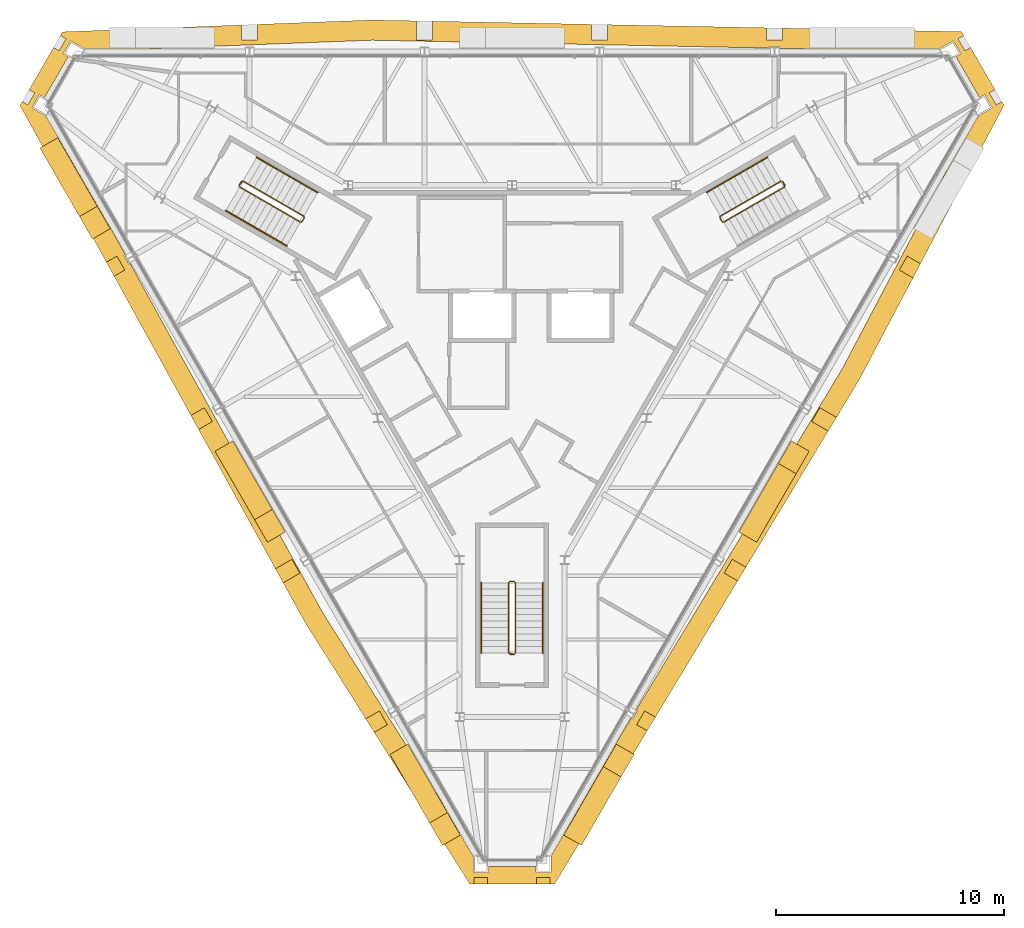
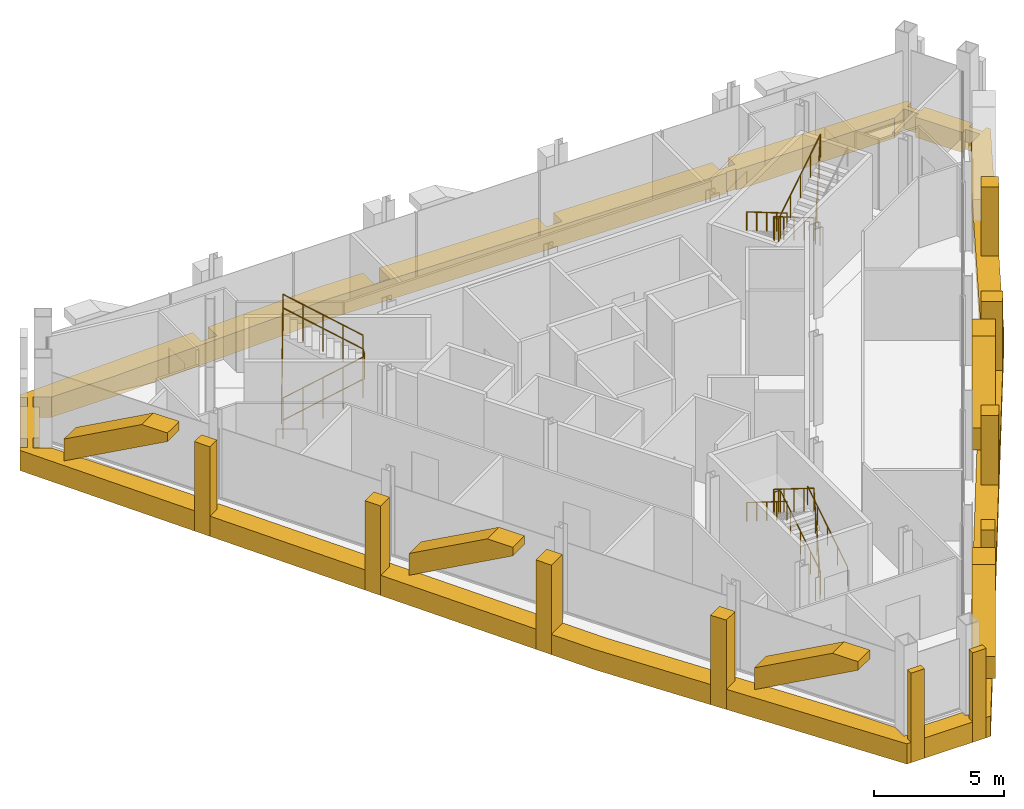
# One storey, part 12 of 13: 16 coverings, 8 railings.
"""IFC4 building model written with IfcOpenShell, lengths in metres."""

from ifc_helpers import new_model, si_unit, direction, frame, origin, origin_2d, place, context, subcontext, project, spatial, polyline, circle, outline, extrude, material, layer, layer_set, type_object, element, save


model = new_model("IFC4")

# Units and contexts
model_context = context("Model", 3, precision=1e-05, world=origin(), true_north=direction((0.0, 1.0)))
body_context = subcontext(model_context, "Body", "Model", "MODEL_VIEW")
ifc_project = project(units=[si_unit("LENGTHUNIT", "METRE"), si_unit("AREAUNIT", "SQUARE_METRE"), si_unit("VOLUMEUNIT", "CUBIC_METRE"), si_unit("PLANEANGLEUNIT", "RADIAN"), si_unit("MASSUNIT", "GRAM", prefix="KILO")], contexts=[model_context])

# Site, building, storey
site_placement = place(None, origin())
site = spatial("IfcSite", under=ifc_project, at=site_placement, CompositionType="ELEMENT")
building_placement = place(site_placement, origin())
building = spatial("IfcBuilding", under=site, at=building_placement, Name="Verrane Prism Tower", CompositionType="ELEMENT")
storey_placement = place(building_placement, frame((0.0, 0.0, 325.199951171875)))
storey = spatial("IfcBuildingStorey", under=building, at=storey_placement, Name="L82", CompositionType="ELEMENT", Elevation=325.199951171875)

# Railings
ifc_material_1 = material(Name="Steel A36 rail and posts, no infill", Category="steel")
railing_type_1 = type_object("IfcRailingType", Name="Stair guard 1100 steel rail and posts", PredefinedType="GUARDRAIL", material=ifc_material_1)
railing_1_placement = place(storey_placement, frame((11.78955078125, 6.97998046875, 0.175048828125)))
element("IfcRailing", 1, at=railing_1_placement, inside=storey, type_object=railing_type_1, Name="Stair 1 guard", PredefinedType="GUARDRAIL", context=body_context, shape_type="SweptSolid", body=[
    extrude(circle(Radius=0.02392578125, at=origin_2d()), frame((0.0, 0.0, 1.076171875), z_axis=(-0.734364028329, -0.424015404183, 0.530019255228), x_axis=(0.500026652407, -0.866010015463, 0.0)), (0.0, 0.0, 1.0), 3.632080078125),
    extrude(circle(Radius=0.02392578125, at=origin_2d()), frame((-2.667236328125, -1.5400390625, 3.0009765625), z_axis=(-0.258736085224, -0.965948051503, 0.0), x_axis=(0.965948051503, -0.258736085224, 0.0)), (0.0, 0.0, 1.0), 0.07080078125),
    extrude(circle(Radius=0.02392578125, at=origin_2d()), frame((-2.685546875, -1.6083984375, 3.0009765625), z_axis=(0.499687197852, -0.866205924883, 0.0), x_axis=(0.866205924883, 0.499687197852, 0.0)), (0.0, 0.0, 1.0), 0.199951171875),
    extrude(circle(Radius=0.02392578125, at=origin_2d()), frame((-2.585693359375, -1.781494140625, 3.0009765625), z_axis=(0.362047912139, -0.096977119323, 0.927101260728), x_axis=(0.258736085224, 0.965948051503, 0.0)), (0.0, 0.0, 1.0), 0.188720703125),
    extrude(circle(Radius=0.02392578125, at=origin_2d()), frame((-2.517333984375, -1.7998046875, 3.17626953125), z_axis=(0.734390191396, 0.42403051051, 0.529970917068), x_axis=(-0.500026652407, 0.866010015463, 0.0)), (0.0, 0.0, 1.0), 3.6318359375),
    extrude(circle(Radius=0.02392578125, at=origin_2d()), frame((0.14990234375, -0.259765625, 5.10107421875), z_axis=(-0.019379572802, 0.057384423658, -0.998164044674), x_axis=(-0.947430582667, -0.3199613899, 0.0)), (0.0, 0.0, 1.0), 4.207763671875),
    extrude(circle(Radius=0.02392578125, at=origin_2d()), frame((0.068359375, -0.018310546875, 0.90087890625), z_axis=(0.499158860599, -0.866510491504, 0.0), x_axis=(0.866510491504, 0.499158860599, 0.0)), (0.0, 0.0, 1.0), 0.199951171875),
    extrude(circle(Radius=0.02099609375, at=origin_2d()), origin(), (0.0, 0.0, 1.0), 1.052001953125),
    extrude(circle(Radius=0.02099609375, at=origin_2d()), frame((-0.666748046875, -0.385009765625, 0.481201171875)), (0.0, 0.0, 1.0), 1.052001953125),
    extrude(circle(Radius=0.02099609375, at=origin_2d()), frame((-1.33349609375, -0.77001953125, 0.96240234375)), (0.0, 0.0, 1.0), 1.052001953125),
    extrude(circle(Radius=0.02099609375, at=origin_2d()), frame((-2.00048828125, -1.155029296875, 1.44384765625)), (0.0, 0.0, 1.0), 1.052001953125),
    extrude(circle(Radius=0.02099609375, at=origin_2d()), frame((-2.667236328125, -1.5400390625, 1.925048828125)), (0.0, 0.0, 1.0), 1.052001953125),
    extrude(circle(Radius=0.02099609375, at=origin_2d()), frame((-2.685546875, -1.6083984375, 1.925048828125)), (0.0, 0.0, 1.0), 1.052001953125),
    extrude(circle(Radius=0.02099609375, at=origin_2d()), frame((-2.585693359375, -1.781494140625, 1.925048828125)), (0.0, 0.0, 1.0), 1.052001953125),
    extrude(circle(Radius=0.02099609375, at=origin_2d()), frame((-2.517333984375, -1.7998046875, 2.10009765625)), (0.0, 0.0, 1.0), 1.052001953125),
    extrude(circle(Radius=0.02099609375, at=origin_2d()), frame((-1.8505859375, -1.414794921875, 2.581298828125)), (0.0, 0.0, 1.0), 1.052001953125),
    extrude(circle(Radius=0.02099609375, at=origin_2d()), frame((-1.18359375, -1.02978515625, 3.0625)), (0.0, 0.0, 1.0), 1.052001953125),
    extrude(circle(Radius=0.02099609375, at=origin_2d()), frame((-0.516845703125, -0.644775390625, 3.543701171875)), (0.0, 0.0, 1.0), 1.052001953125),
    extrude(circle(Radius=0.02099609375, at=origin_2d()), frame((0.14990234375, -0.259765625, 4.02490234375)), (0.0, 0.0, 1.0), 1.052001953125),
    extrude(circle(Radius=0.02099609375, at=origin_2d()), frame((0.12939453125, -0.199462890625, 2.974853515625)), (0.0, 0.0, 1.0), 1.052001953125),
    extrude(circle(Radius=0.02099609375, at=origin_2d()), frame((0.109130859375, -0.13916015625, 1.9248046875)), (0.0, 0.0, 1.0), 1.052001953125),
    extrude(circle(Radius=0.02099609375, at=origin_2d()), frame((0.0888671875, -0.07861328125, 0.875)), (0.0, 0.0, 1.0), 1.052001953125),
    extrude(circle(Radius=0.02099609375, at=origin_2d()), frame((0.068359375, -0.018310546875, -0.175048828125)), (0.0, 0.0, 1.0), 1.052001953125),
    extrude(circle(Radius=0.02099609375, at=origin_2d()), frame((0.168212890625, -0.191650390625, -0.175048828125)), (0.0, 0.0, 1.0), 1.052001953125),
])
railing_2_placement = place(storey_placement, frame((-11.939453125, 6.72021484375, 0.175048828125)))
element("IfcRailing", 2, at=railing_2_placement, inside=storey, type_object=railing_type_1, Name="Stair 2 guard", PredefinedType="GUARDRAIL", context=body_context, shape_type="SweptSolid", body=[
    extrude(circle(Radius=0.02392578125, at=origin_2d()), frame((0.0, 0.0, 1.076171875), z_axis=(0.734364028329, -0.424015404183, 0.530019255228), x_axis=(0.500026652407, 0.866010015463, 0.0)), (0.0, 0.0, 1.0), 3.632080078125),
    extrude(circle(Radius=0.02392578125, at=origin_2d()), frame((2.667236328125, -1.5400390625, 3.0009765625), z_axis=(0.965948051503, 0.258736085224, 0.0), x_axis=(-0.258736085224, 0.965948051503, 0.0)), (0.0, 0.0, 1.0), 0.07080078125),
    extrude(circle(Radius=0.02392578125, at=origin_2d()), frame((2.735595703125, -1.521728515625, 3.0009765625), z_axis=(0.499687197852, 0.866205924883, 0.0), x_axis=(-0.866205924883, 0.499687197852, 0.0)), (0.0, 0.0, 1.0), 0.199951171875),
    extrude(circle(Radius=0.02392578125, at=origin_2d()), frame((2.83544921875, -1.3486328125, 3.0009765625), z_axis=(-0.096977119323, 0.362047912139, 0.927101260728), x_axis=(-0.965948051503, -0.258736085224, 0.0)), (0.0, 0.0, 1.0), 0.188720703125),
    extrude(circle(Radius=0.02392578125, at=origin_2d()), frame((2.817138671875, -1.2802734375, 3.17626953125), z_axis=(-0.734390191396, 0.42403051051, 0.529970917068), x_axis=(-0.500026652407, -0.866010015463, 0.0)), (0.0, 0.0, 1.0), 3.6318359375),
    extrude(circle(Radius=0.02392578125, at=origin_2d()), frame((0.14990234375, 0.259765625, 5.10107421875), z_axis=(-0.039977536342, -0.045547701058, -0.998161912475), x_axis=(0.751567565678, -0.659656118156, 0.0)), (0.0, 0.0, 1.0), 4.207763671875),
    extrude(circle(Radius=0.02392578125, at=origin_2d()), frame((-0.018310546875, 0.068115234375, 0.90087890625), z_axis=(0.499158860599, 0.866510491504, 0.0), x_axis=(-0.866510491504, 0.499158860599, 0.0)), (0.0, 0.0, 1.0), 0.199951171875),
    extrude(circle(Radius=0.02099609375, at=origin_2d()), origin(), (0.0, 0.0, 1.0), 1.052001953125),
    extrude(circle(Radius=0.02099609375, at=origin_2d()), frame((0.666748046875, -0.385009765625, 0.481201171875)), (0.0, 0.0, 1.0), 1.052001953125),
    extrude(circle(Radius=0.02099609375, at=origin_2d()), frame((1.33349609375, -0.77001953125, 0.96240234375)), (0.0, 0.0, 1.0), 1.052001953125),
    extrude(circle(Radius=0.02099609375, at=origin_2d()), frame((2.00048828125, -1.155029296875, 1.44384765625)), (0.0, 0.0, 1.0), 1.052001953125),
    extrude(circle(Radius=0.02099609375, at=origin_2d()), frame((2.667236328125, -1.5400390625, 1.925048828125)), (0.0, 0.0, 1.0), 1.052001953125),
    extrude(circle(Radius=0.02099609375, at=origin_2d()), frame((2.735595703125, -1.521728515625, 1.925048828125)), (0.0, 0.0, 1.0), 1.052001953125),
    extrude(circle(Radius=0.02099609375, at=origin_2d()), frame((2.83544921875, -1.3486328125, 1.925048828125)), (0.0, 0.0, 1.0), 1.052001953125),
    extrude(circle(Radius=0.02099609375, at=origin_2d()), frame((2.817138671875, -1.2802734375, 2.10009765625)), (0.0, 0.0, 1.0), 1.052001953125),
    extrude(circle(Radius=0.02099609375, at=origin_2d()), frame((2.150390625, -0.895263671875, 2.581298828125)), (0.0, 0.0, 1.0), 1.052001953125),
    extrude(circle(Radius=0.02099609375, at=origin_2d()), frame((1.4833984375, -0.51025390625, 3.0625)), (0.0, 0.0, 1.0), 1.052001953125),
    extrude(circle(Radius=0.02099609375, at=origin_2d()), frame((0.816650390625, -0.125244140625, 3.543701171875)), (0.0, 0.0, 1.0), 1.052001953125),
    extrude(circle(Radius=0.02099609375, at=origin_2d()), frame((0.14990234375, 0.259765625, 4.02490234375)), (0.0, 0.0, 1.0), 1.052001953125),
    extrude(circle(Radius=0.02099609375, at=origin_2d()), frame((0.10791015625, 0.2119140625, 2.974853515625)), (0.0, 0.0, 1.0), 1.052001953125),
    extrude(circle(Radius=0.02099609375, at=origin_2d()), frame((0.06591796875, 0.1640625, 1.9248046875)), (0.0, 0.0, 1.0), 1.052001953125),
    extrude(circle(Radius=0.02099609375, at=origin_2d()), frame((0.023681640625, 0.115966796875, 0.875)), (0.0, 0.0, 1.0), 1.052001953125),
    extrude(circle(Radius=0.02099609375, at=origin_2d()), frame((-0.018310546875, 0.068115234375, -0.175048828125)), (0.0, 0.0, 1.0), 1.052001953125),
    extrude(circle(Radius=0.02099609375, at=origin_2d()), frame((0.08154296875, 0.241455078125, -0.175048828125)), (0.0, 0.0, 1.0), 1.052001953125),
])
railing_3_placement = place(storey_placement, frame((0.14990234375, -13.699951171875, 0.175048828125)))
element("IfcRailing", 3, at=railing_3_placement, inside=storey, type_object=railing_type_1, Name="Stair 3 guard", PredefinedType="GUARDRAIL", context=body_context, shape_type="SweptSolid", body=[
    extrude(circle(Radius=0.02392578125, at=origin_2d()), frame((0.0, 0.0, 1.076171875), z_axis=(0.0, 0.847979421464, 0.530029150871), x_axis=(-1.0, 0.0, 0.0)), (0.0, 0.0, 1.0), 3.632080078125),
    extrude(circle(Radius=0.02392578125, at=origin_2d()), frame((0.0, 3.079833984375, 3.0009765625), z_axis=(-0.705375805398, 0.708833529934, 0.0), x_axis=(-0.708833529934, -0.705375805398, 0.0)), (0.0, 0.0, 1.0), 0.070556640625),
    extrude(circle(Radius=0.02392578125, at=origin_2d()), frame((-0.0498046875, 3.1298828125, 3.0009765625), z_axis=(-1.0, 0.0, 0.0), x_axis=(0.0, -1.0, 0.0)), (0.0, 0.0, 1.0), 0.2001953125),
    extrude(circle(Radius=0.02392578125, at=origin_2d()), frame((-0.25, 3.1298828125, 3.0009765625), z_axis=(-0.263862480399, -0.265155923931, 0.927399011991), x_axis=(0.708833529934, -0.705375805398, 0.0)), (0.0, 0.0, 1.0), 0.188720703125),
    extrude(circle(Radius=0.02392578125, at=origin_2d()), frame((-0.2998046875, 3.079833984375, 3.17626953125), z_axis=(0.0, -0.848009633417, 0.529980812513), x_axis=(1.0, 0.0, 0.0)), (0.0, 0.0, 1.0), 3.6318359375),
    extrude(circle(Radius=0.02392578125, at=origin_2d()), frame((-0.2998046875, 0.0, 5.10107421875), z_axis=(0.059415124802, -0.011894629477, -0.99816249215), x_axis=(0.196300278283, 0.98054382908, 0.0)), (0.0, 0.0, 1.0), 4.207763671875),
    extrude(circle(Radius=0.02392578125, at=origin_2d()), frame((-0.0498046875, -0.050048828125, 0.90087890625), z_axis=(-1.0, 0.0, 0.0), x_axis=(0.0, -1.0, 0.0)), (0.0, 0.0, 1.0), 0.2001953125),
    extrude(circle(Radius=0.02099609375, at=origin_2d()), origin(), (0.0, 0.0, 1.0), 1.052001953125),
    extrude(circle(Radius=0.02099609375, at=origin_2d()), frame((0.0, 0.77001953125, 0.481201171875)), (0.0, 0.0, 1.0), 1.052001953125),
    extrude(circle(Radius=0.02099609375, at=origin_2d()), frame((0.0, 1.5400390625, 0.96240234375)), (0.0, 0.0, 1.0), 1.052001953125),
    extrude(circle(Radius=0.02099609375, at=origin_2d()), frame((0.0, 2.309814453125, 1.44384765625)), (0.0, 0.0, 1.0), 1.052001953125),
    extrude(circle(Radius=0.02099609375, at=origin_2d()), frame((0.0, 3.079833984375, 1.925048828125)), (0.0, 0.0, 1.0), 1.052001953125),
    extrude(circle(Radius=0.02099609375, at=origin_2d()), frame((-0.0498046875, 3.1298828125, 1.925048828125)), (0.0, 0.0, 1.0), 1.052001953125),
    extrude(circle(Radius=0.02099609375, at=origin_2d()), frame((-0.25, 3.1298828125, 1.925048828125)), (0.0, 0.0, 1.0), 1.052001953125),
    extrude(circle(Radius=0.02099609375, at=origin_2d()), frame((-0.2998046875, 3.079833984375, 2.10009765625)), (0.0, 0.0, 1.0), 1.052001953125),
    extrude(circle(Radius=0.02099609375, at=origin_2d()), frame((-0.2998046875, 2.309814453125, 2.581298828125)), (0.0, 0.0, 1.0), 1.052001953125),
    extrude(circle(Radius=0.02099609375, at=origin_2d()), frame((-0.2998046875, 1.5400390625, 3.0625)), (0.0, 0.0, 1.0), 1.052001953125),
    extrude(circle(Radius=0.02099609375, at=origin_2d()), frame((-0.2998046875, 0.77001953125, 3.543701171875)), (0.0, 0.0, 1.0), 1.052001953125),
    extrude(circle(Radius=0.02099609375, at=origin_2d()), frame((-0.2998046875, 0.0, 4.02490234375)), (0.0, 0.0, 1.0), 1.052001953125),
    extrude(circle(Radius=0.02099609375, at=origin_2d()), frame((-0.2373046875, -0.012451171875, 2.974853515625)), (0.0, 0.0, 1.0), 1.052001953125),
    extrude(circle(Radius=0.02099609375, at=origin_2d()), frame((-0.1748046875, -0.02490234375, 1.9248046875)), (0.0, 0.0, 1.0), 1.052001953125),
    extrude(circle(Radius=0.02099609375, at=origin_2d()), frame((-0.1123046875, -0.03759765625, 0.875)), (0.0, 0.0, 1.0), 1.052001953125),
    extrude(circle(Radius=0.02099609375, at=origin_2d()), frame((-0.0498046875, -0.050048828125, -0.175048828125)), (0.0, 0.0, 1.0), 1.052001953125),
    extrude(circle(Radius=0.02099609375, at=origin_2d()), frame((-0.25, -0.050048828125, -0.175048828125)), (0.0, 0.0, 1.0), 1.052001953125),
])
ifc_material_2 = material(Name="Steel A36 tube", Category="steel")
railing_type_2 = type_object("IfcRailingType", Name="Stair handrail 900 steel tube", PredefinedType="HANDRAIL", material=ifc_material_2)
railing_4_placement = place(storey_placement, frame((11.189453125, 8.01904296875, 0.175048828125)))
element("IfcRailing", 4, at=railing_4_placement, inside=storey, type_object=railing_type_2, Name="Stair 1 handrail", PredefinedType="HANDRAIL", context=body_context, shape_type="SweptSolid", body=[
    extrude(circle(Radius=0.02392578125, at=origin_2d()), frame((0.0, 0.0, 0.8759765625), z_axis=(-0.734384958227, -0.423960268333, 0.530034361155), x_axis=(0.499967199496, -0.866044340336, 0.0)), (0.0, 0.0, 1.0), 3.6318359375),
    extrude(circle(Radius=0.02099609375, at=origin_2d()), origin(), (0.0, 0.0, 1.0), 0.851806640625),
    extrude(circle(Radius=0.02099609375, at=origin_2d()), frame((-0.666748046875, -0.385009765625, 0.481201171875)), (0.0, 0.0, 1.0), 0.851806640625),
    extrude(circle(Radius=0.02099609375, at=origin_2d()), frame((-1.33349609375, -0.77001953125, 0.96240234375)), (0.0, 0.0, 1.0), 0.851806640625),
    extrude(circle(Radius=0.02099609375, at=origin_2d()), frame((-2.00048828125, -1.15478515625, 1.44384765625)), (0.0, 0.0, 1.0), 0.851806640625),
    extrude(circle(Radius=0.02099609375, at=origin_2d()), frame((-2.667236328125, -1.539794921875, 1.925048828125)), (0.0, 0.0, 1.0), 0.851806640625),
])
railing_5_placement = place(storey_placement, frame((-12.53955078125, 5.680908203125, 0.175048828125)))
element("IfcRailing", 5, at=railing_5_placement, inside=storey, type_object=railing_type_2, Name="Stair 2 handrail", PredefinedType="HANDRAIL", context=body_context, shape_type="SweptSolid", body=[
    extrude(circle(Radius=0.02392578125, at=origin_2d()), frame((0.0, 0.0, 0.8759765625), z_axis=(0.734364028329, -0.424015404183, 0.530019255228), x_axis=(0.500026652407, 0.866010015463, 0.0)), (0.0, 0.0, 1.0), 3.632080078125),
    extrude(circle(Radius=0.02099609375, at=origin_2d()), origin(), (0.0, 0.0, 1.0), 0.851806640625),
    extrude(circle(Radius=0.02099609375, at=origin_2d()), frame((0.666748046875, -0.385009765625, 0.481201171875)), (0.0, 0.0, 1.0), 0.851806640625),
    extrude(circle(Radius=0.02099609375, at=origin_2d()), frame((1.33349609375, -0.77001953125, 0.96240234375)), (0.0, 0.0, 1.0), 0.851806640625),
    extrude(circle(Radius=0.02099609375, at=origin_2d()), frame((2.00048828125, -1.155029296875, 1.44384765625)), (0.0, 0.0, 1.0), 0.851806640625),
    extrude(circle(Radius=0.02099609375, at=origin_2d()), frame((2.667236328125, -1.5400390625, 1.925048828125)), (0.0, 0.0, 1.0), 0.851806640625),
])
railing_6_placement = place(storey_placement, frame((-8.522216796875, 6.479248046875, 2.275146484375)))
element("IfcRailing", 6, at=railing_6_placement, inside=storey, type_object=railing_type_2, Name="Stair 2 handrail", PredefinedType="HANDRAIL", context=body_context, shape_type="SweptSolid", body=[
    extrude(circle(Radius=0.02392578125, at=origin_2d()), frame((0.0, 0.0, 0.8759765625), z_axis=(-0.734411123532, 0.423975373557, 0.529986022693), x_axis=(-0.499967199496, -0.866044340336, 0.0)), (0.0, 0.0, 1.0), 3.6318359375),
    extrude(circle(Radius=0.02099609375, at=origin_2d()), origin(), (0.0, 0.0, 1.0), 0.851806640625),
    extrude(circle(Radius=0.02099609375, at=origin_2d()), frame((-0.666748046875, 0.385009765625, 0.481201171875)), (0.0, 0.0, 1.0), 0.851806640625),
    extrude(circle(Radius=0.02099609375, at=origin_2d()), frame((-1.33349609375, 0.77001953125, 0.96240234375)), (0.0, 0.0, 1.0), 0.851806640625),
    extrude(circle(Radius=0.02099609375, at=origin_2d()), frame((-2.00048828125, 1.15478515625, 1.443603515625)), (0.0, 0.0, 1.0), 0.851806640625),
    extrude(circle(Radius=0.02099609375, at=origin_2d()), frame((-2.667236328125, 1.539794921875, 1.9248046875)), (0.0, 0.0, 1.0), 0.851806640625),
])
railing_7_placement = place(storey_placement, frame((1.35009765625, -13.699951171875, 0.175048828125)))
element("IfcRailing", 7, at=railing_7_placement, inside=storey, type_object=railing_type_2, Name="Stair 3 handrail", PredefinedType="HANDRAIL", context=body_context, shape_type="SweptSolid", body=[
    extrude(circle(Radius=0.02392578125, at=origin_2d()), frame((0.0, 0.0, 0.8759765625), z_axis=(0.0, 0.847979421464, 0.530029150871), x_axis=(-1.0, 0.0, 0.0)), (0.0, 0.0, 1.0), 3.632080078125),
    extrude(circle(Radius=0.02099609375, at=origin_2d()), origin(), (0.0, 0.0, 1.0), 0.851806640625),
    extrude(circle(Radius=0.02099609375, at=origin_2d()), frame((0.0, 0.77001953125, 0.481201171875)), (0.0, 0.0, 1.0), 0.851806640625),
    extrude(circle(Radius=0.02099609375, at=origin_2d()), frame((0.0, 1.5400390625, 0.96240234375)), (0.0, 0.0, 1.0), 0.851806640625),
    extrude(circle(Radius=0.02099609375, at=origin_2d()), frame((0.0, 2.309814453125, 1.44384765625)), (0.0, 0.0, 1.0), 0.851806640625),
    extrude(circle(Radius=0.02099609375, at=origin_2d()), frame((0.0, 3.079833984375, 1.925048828125)), (0.0, 0.0, 1.0), 0.851806640625),
])
railing_8_placement = place(storey_placement, frame((-1.35009765625, -10.6201171875, 2.275146484375)))
element("IfcRailing", 8, at=railing_8_placement, inside=storey, type_object=railing_type_2, Name="Stair 3 handrail", PredefinedType="HANDRAIL", context=body_context, shape_type="SweptSolid", body=[
    extrude(circle(Radius=0.02392578125, at=origin_2d()), frame((0.0, 0.0, 0.8759765625), z_axis=(0.0, -0.848009633417, 0.529980812513), x_axis=(1.0, 0.0, 0.0)), (0.0, 0.0, 1.0), 3.6318359375),
    extrude(circle(Radius=0.02099609375, at=origin_2d()), origin(), (0.0, 0.0, 1.0), 0.851806640625),
    extrude(circle(Radius=0.02099609375, at=origin_2d()), frame((0.0, -0.77001953125, 0.481201171875)), (0.0, 0.0, 1.0), 0.851806640625),
    extrude(circle(Radius=0.02099609375, at=origin_2d()), frame((0.0, -1.5400390625, 0.96240234375)), (0.0, 0.0, 1.0), 0.851806640625),
    extrude(circle(Radius=0.02099609375, at=origin_2d()), frame((0.0, -2.309814453125, 1.443603515625)), (0.0, 0.0, 1.0), 0.851806640625),
    extrude(circle(Radius=0.02099609375, at=origin_2d()), frame((0.0, -3.079833984375, 1.9248046875)), (0.0, 0.0, 1.0), 0.851806640625),
])

# Coverings
ifc_material_3 = material(Name="Warm limestone cladding", Category="masonry")
ifc_layer_1 = layer(ifc_material_3, 0.89990234375)
ifc_layer_set_1 = layer_set([ifc_layer_1], Name="Stone brace fin 900")
covering_type_1 = type_object("IfcCoveringType", Name="Stone brace fin 900", PredefinedType="CLADDING", material=ifc_layer_set_1)
for number, where, z_axis, x_axis, name in (
    (9, (-20.294189453125, 8.650390625, 0.326904296875), (0.0, 0.0, 1.0), (0.5000194552, -0.866014171028, 0.0), "Stone brace fin SW1 L82"),
    (10, (-12.625, -4.632568359375, 0.326904296875), (0.0, 0.0, 1.0), (0.49997966108, -0.866037146147, 0.0), "Stone brace fin SW3 L82"),
    (11, (-4.956298828125, -17.91552734375, 0.326904296875), (0.0, 0.0, 1.0), (0.5000194552, -0.866014171028, 0.0), "Stone brace fin SW5 L82"),
    (12, (2.655517578125, -21.900390625, 0.326904296875), (0.0, 0.0, 1.0), (0.5000194552, 0.866014171028, 0.0), "Stone brace fin SE1 L82"),
    (13, (10.324462890625, -8.617431640625, 0.326904296875), (0.0, 0.0, 1.0), (0.49997966108, 0.866037146147, 0.0), "Stone brace fin SE3 L82"),
):
    element("IfcCovering", number, at=place(storey_placement, frame(where, z_axis=z_axis, x_axis=x_axis)), inside=storey, type_object=covering_type_1, Name=name, PredefinedType="CLADDING", context=body_context, shape_type="SweptSolid", body=[
        extrude(outline(polyline([(4.601318359375, 2.923095703125), (3.463623046875, 2.923095703125), (0.0, 1.026123046875), (0.0, 0.0), (4.601318359375, 2.52001953125), (4.601318359375, 2.923095703125)])), frame((0.0, 0.449951171875, 0.0), z_axis=(0.0, -1.0, 0.0), x_axis=(1.0, 0.0, 0.0)), (0.0, 0.0, 1.0), 0.89990234375),
    ])
ifc_material_4 = material(Name="Warm limestone cladding", Category="masonry")
covering_type_2 = type_object("IfcCoveringType", Name="Stone corner pier 600", PredefinedType="CLADDING", material=ifc_material_4)
covering_1_placement = place(storey_placement, frame((0.0, 0.0, -0.949951171875)))
element("IfcCovering", 14, at=covering_1_placement, inside=storey, type_object=covering_type_2, Name="Stone pier MC-S.a L82", PredefinedType="CLADDING", context=body_context, shape_type="SweptSolid", body=[
    extrude(outline(polyline([(-1.069091796875, -23.52880859375), (-1.6689453125, -23.52880859375), (-1.6689453125, -23.813720703125), (-1.069091796875, -23.813720703125), (-1.069091796875, -23.52880859375)])), origin(), (0.0, 0.0, 1.0), 4.199951171875),
])
covering_2_placement = place(storey_placement, frame((0.0, 0.0, -0.949951171875)))
element("IfcCovering", 15, at=covering_2_placement, inside=storey, type_object=covering_type_2, Name="Stone pier MC-S.b L82", PredefinedType="CLADDING", context=body_context, shape_type="SweptSolid", body=[
    extrude(outline(polyline([(1.6689453125, -23.52880859375), (1.069091796875, -23.52880859375), (1.069091796875, -23.813720703125), (1.6689453125, -23.813720703125), (1.6689453125, -23.52880859375)])), origin(), (0.0, 0.0, 1.0), 4.199951171875),
])
ifc_material_5 = material(Name="Warm limestone cladding", Category="masonry")
covering_type_3 = type_object("IfcCoveringType", Name="Stone pier 700", PredefinedType="CLADDING", material=ifc_material_5)
covering_3_placement = place(storey_placement, frame((0.0, 0.0, -0.949951171875)))
element("IfcCovering", 16, at=covering_3_placement, inside=storey, type_object=covering_type_3, Name="Stone pier PC-SW1 L82", PredefinedType="CLADDING", context=body_context, shape_type="SweptSolid", body=[
    extrude(outline(polyline([(-16.96484375, 3.084228515625), (-17.094482421875, 3.30859375), (-17.31494140625, 3.6904296875), (-17.773681640625, 3.425537109375), (-17.435546875, 2.8125), (-16.96484375, 3.084228515625)])), origin(), (0.0, 0.0, 1.0), 4.199951171875),
])
covering_4_placement = place(storey_placement, frame((0.0, 0.0, -0.949951171875)))
element("IfcCovering", 17, at=covering_4_placement, inside=storey, type_object=covering_type_3, Name="Stone pier PC-SW2 L82", PredefinedType="CLADDING", context=body_context, shape_type="SweptSolid", body=[
    extrude(outline(polyline([(-13.13037109375, -3.557373046875), (-13.279296875, -3.299560546875), (-13.48046875, -2.951171875), (-14.0703125, -3.291748046875), (-13.732421875, -3.90478515625), (-13.13037109375, -3.557373046875)])), origin(), (0.0, 0.0, 1.0), 4.199951171875),
])
covering_5_placement = place(storey_placement, frame((0.0, 0.0, -0.949951171875)))
element("IfcCovering", 18, at=covering_5_placement, inside=storey, type_object=covering_type_3, Name="Stone pier PC-SW3 L82", PredefinedType="CLADDING", context=body_context, shape_type="SweptSolid", body=[
    extrude(outline(polyline([(-9.2958984375, -10.198974609375), (-9.470947265625, -9.895751953125), (-9.64599609375, -9.5927734375), (-10.366943359375, -10.009033203125), (-10.029052734375, -10.6220703125), (-9.2958984375, -10.198974609375)])), origin(), (0.0, 0.0, 1.0), 4.199951171875),
])
covering_6_placement = place(storey_placement, frame((0.0, 0.0, -0.949951171875)))
element("IfcCovering", 19, at=covering_6_placement, inside=storey, type_object=covering_type_3, Name="Stone pier PC-SW4 L82", PredefinedType="CLADDING", context=body_context, shape_type="SweptSolid", body=[
    extrude(outline(polyline([(-5.46142578125, -16.84033203125), (-5.8115234375, -16.234130859375), (-6.41162109375, -16.580810546875), (-6.038330078125, -17.173583984375), (-5.46142578125, -16.84033203125)])), origin(), (0.0, 0.0, 1.0), 4.199951171875),
])
covering_7_placement = place(storey_placement, frame((0.0, 0.0, -0.949951171875)))
element("IfcCovering", 20, at=covering_7_placement, inside=storey, type_object=covering_type_3, Name="Stone pier PC-SE1 L82", PredefinedType="CLADDING", context=body_context, shape_type="SweptSolid", body=[
    extrude(outline(polyline([(5.8115234375, -16.234130859375), (5.710205078125, -16.409912109375), (5.46142578125, -16.84033203125), (5.920166015625, -17.105224609375), (6.281982421875, -16.505859375), (5.8115234375, -16.234130859375)])), origin(), (0.0, 0.0, 1.0), 4.199951171875),
])
covering_8_placement = place(storey_placement, frame((0.0, 0.0, -0.949951171875)))
element("IfcCovering", 21, at=covering_8_placement, inside=storey, type_object=covering_type_3, Name="Stone pier PC-SE2 L82", PredefinedType="CLADDING", context=body_context, shape_type="SweptSolid", body=[
    extrude(outline(polyline([(9.64599609375, -9.5927734375), (9.2958984375, -10.198974609375), (9.8857421875, -10.539306640625), (10.247802734375, -9.940185546875), (9.64599609375, -9.5927734375)])), origin(), (0.0, 0.0, 1.0), 4.199951171875),
])
covering_9_placement = place(storey_placement, frame((0.0, 0.0, -0.949951171875)))
element("IfcCovering", 22, at=covering_9_placement, inside=storey, type_object=covering_type_3, Name="Stone pier PC-SE3 L82", PredefinedType="CLADDING", context=body_context, shape_type="SweptSolid", body=[
    extrude(outline(polyline([(13.48046875, -2.951171875), (13.13037109375, -3.557373046875), (13.8515625, -3.9736328125), (14.21337890625, -3.374267578125), (13.48046875, -2.951171875)])), origin(), (0.0, 0.0, 1.0), 4.199951171875),
])
covering_10_placement = place(storey_placement, frame((0.0, 0.0, -0.949951171875)))
element("IfcCovering", 23, at=covering_10_placement, inside=storey, type_object=covering_type_3, Name="Stone pier PC-SE4 L82", PredefinedType="CLADDING", context=body_context, shape_type="SweptSolid", body=[
    extrude(outline(polyline([(17.31494140625, 3.6904296875), (16.96484375, 3.084228515625), (17.565185546875, 2.73779296875), (17.891845703125, 3.357421875), (17.31494140625, 3.6904296875)])), origin(), (0.0, 0.0, 1.0), 4.199951171875),
])
ifc_material_6 = material(Name="Warm limestone cladding", Category="masonry")
ifc_layer_2 = layer(ifc_material_6, 0.449951171875)
ifc_layer_set_2 = layer_set([ifc_layer_2], Name="Stone spandrel band 450")
covering_type_4 = type_object("IfcCoveringType", Name="Stone spandrel band 450", PredefinedType="CLADDING", material=ifc_layer_set_2)
covering_11_placement = place(storey_placement, frame((0.0, 0.0, -0.949951171875)))
element("IfcCovering", 24, at=covering_11_placement, inside=storey, type_object=covering_type_4, Name="Stone spandrel band L82", PredefinedType="CLADDING", context=body_context, shape_type="SweptSolid", body=[
    extrude(outline(polyline([(1.868408203125, -23.813720703125), (5.920166015625, -17.105224609375), (5.46142578125, -16.84033203125), (5.8115234375, -16.234130859375), (6.281982421875, -16.505859375), (9.8857421875, -10.539306640625), (9.2958984375, -10.198974609375), (9.64599609375, -9.5927734375), (10.247802734375, -9.940185546875), (13.8515625, -3.9736328125), (13.13037109375, -3.557373046875), (13.48046875, -2.951171875), (14.21337890625, -3.374267578125), (15.2265625, -1.697265625), (17.565185546875, 2.73779296875), (16.96484375, 3.084228515625), (17.31494140625, 3.6904296875), (17.891845703125, 3.357421875), (21.552001953125, 10.298095703125), (21.457763671875, 10.46142578125), (21.2109375, 10.319091796875), (20.910888671875, 10.838623046875), (21.15771484375, 10.98095703125), (20.088623046875, 12.83251953125), (19.842041015625, 12.690185546875), (19.5419921875, 13.209716796875), (19.788818359375, 13.352294921875), (19.68896484375, 13.52490234375), (11.853515625, 13.6796875), (11.853515625, 13.14990234375), (11.1533203125, 13.14990234375), (11.1533203125, 13.693359375), (4.1845703125, 13.8310546875), (4.1845703125, 13.14990234375), (3.484619140625, 13.14990234375), (3.484619140625, 13.844970703125), (-3.484619140625, 13.982666015625), (-3.484619140625, 13.14990234375), (-4.1845703125, 13.14990234375), (-4.1845703125, 13.996337890625), (-6.143310546875, 14.03515625), (-11.1533203125, 13.843017578125), (-11.1533203125, 13.14990234375), (-11.853515625, 13.14990234375), (-11.853515625, 13.816162109375), (-19.6943359375, 13.515380859375), (-19.788818359375, 13.352294921875), (-19.5419921875, 13.209716796875), (-19.842041015625, 12.690185546875), (-20.088623046875, 12.83251953125), (-21.15771484375, 10.98095703125), (-20.910888671875, 10.838623046875), (-21.2109375, 10.319091796875), (-21.457763671875, 10.46142578125), (-21.557373046875, 10.288818359375), (-17.773681640625, 3.425537109375), (-17.31494140625, 3.6904296875), (-16.96484375, 3.084228515625), (-17.435546875, 2.8125), (-14.0703125, -3.291748046875), (-13.48046875, -2.951171875), (-13.13037109375, -3.557373046875), (-13.732421875, -3.90478515625), (-10.366943359375, -10.009033203125), (-9.64599609375, -9.5927734375), (-9.2958984375, -10.198974609375), (-10.029052734375, -10.6220703125), (-9.0830078125, -12.337890625), (-6.41162109375, -16.580810546875), (-5.8115234375, -16.234130859375), (-5.46142578125, -16.84033203125), (-6.038330078125, -17.173583984375), (-1.857421875, -23.813720703125), (-1.6689453125, -23.813720703125), (-1.6689453125, -23.52880859375), (-1.069091796875, -23.52880859375), (-1.069091796875, -23.813720703125), (1.069091796875, -23.813720703125), (1.069091796875, -23.52880859375), (1.6689453125, -23.52880859375), (1.6689453125, -23.813720703125), (1.868408203125, -23.813720703125)]), holes=[polyline([(4.693115234375, -17.425537109375), (1.699951171875, -22.609619140625), (1.699951171875, -23.31005859375), (1.0400390625, -23.31005859375), (1.0400390625, -23.055908203125), (-1.0400390625, -23.055908203125), (-1.0400390625, -23.31005859375), (-1.699951171875, -23.31005859375), (-1.699951171875, -22.609619140625), (-3.134765625, -20.124267578125), (-8.320556640625, -11.88818359375), (-16.7353515625, 3.375), (-16.787109375, 3.34521484375), (-17.00390625, 3.720703125), (-16.944580078125, 3.754638671875), (-17.43701171875, 4.64794921875), (-20.43310546875, 9.837158203125), (-21.0341796875, 10.18408203125), (-20.7041015625, 10.755859375), (-20.485595703125, 10.629638671875), (-19.44677734375, 12.4287109375), (-19.6640625, 12.55419921875), (-19.333984375, 13.125732421875), (-18.72998046875, 12.777099609375), (-15.861083984375, 12.777099609375), (-6.13525390625, 13.14990234375), (11.283203125, 12.805908203125), (11.283203125, 12.8642578125), (11.716796875, 12.8642578125), (11.716796875, 12.79736328125), (12.744384765625, 12.777099609375), (18.72998046875, 12.777099609375), (19.333984375, 13.125732421875), (19.6640625, 12.55419921875), (19.44677734375, 12.4287109375), (20.485595703125, 10.629638671875), (20.7041015625, 10.755859375), (21.0341796875, 10.18408203125), (20.43310546875, 9.837158203125), (18.99560546875, 7.34765625), (14.455810546875, -1.26171875), (5.444580078125, -16.180908203125), (5.493896484375, -16.20947265625), (5.277099609375, -16.584716796875), (5.220458984375, -16.552001953125), (4.693115234375, -17.425537109375)])]), origin(), (0.0, 0.0, 1.0), 0.949951171875),
])

save(model, "model.ifc")
